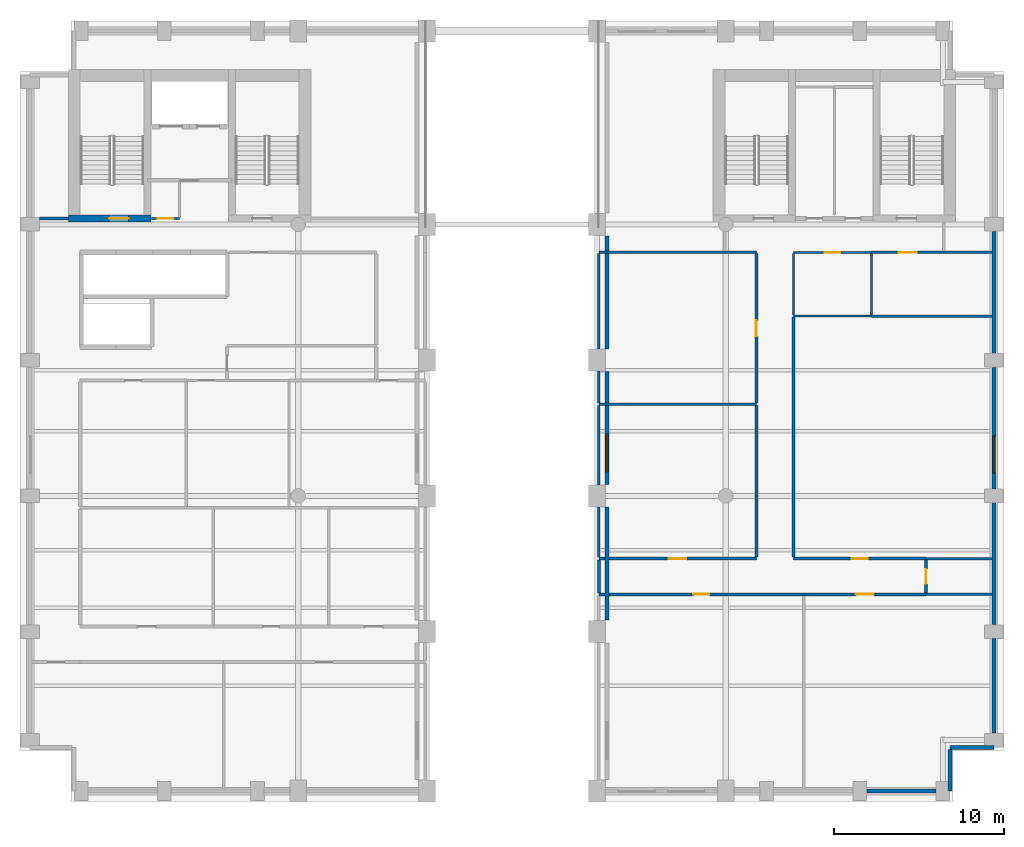
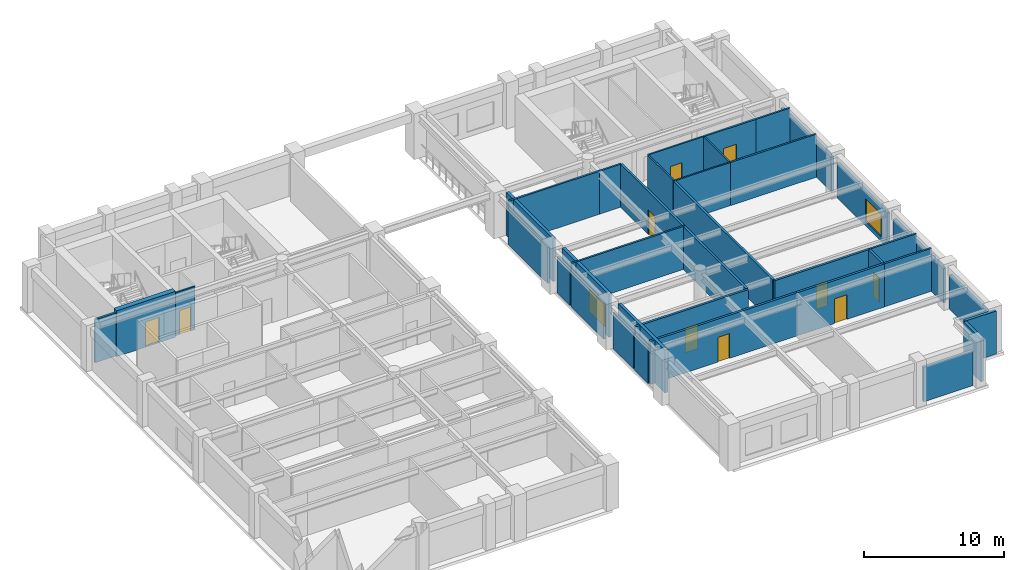
# One storey, part 4 of 8: 38 walls, 10 doors, 2 windows, 12 openings.
"""IFC4 building model written with IfcOpenShell, lengths in metres."""

from ifc_helpers import new_model, si_unit, direction, frame, frame_2d, origin, place, context, subcontext, project, spatial, rectangle, extrude, material, layer, layer_set, type_object, element, fill, save


model = new_model("IFC4")

# Units and contexts
model_context = context("Model", 3, precision=1e-05, world=origin(), true_north=direction((0.0, 1.0)))
body_context = subcontext(model_context, "Body", "Model", "MODEL_VIEW")
ifc_project = project(units=[si_unit("LENGTHUNIT", "METRE"), si_unit("AREAUNIT", "SQUARE_METRE"), si_unit("VOLUMEUNIT", "CUBIC_METRE"), si_unit("PLANEANGLEUNIT", "RADIAN"), si_unit("MASSUNIT", "GRAM", prefix="KILO")], contexts=[model_context])

# Site, building, storey
site_placement = place(None, origin())
site = spatial("IfcSite", under=ifc_project, at=site_placement, CompositionType="ELEMENT")
building_placement = place(site_placement, origin())
building = spatial("IfcBuilding", under=site, at=building_placement, Name="Sulina Concourse Tower", CompositionType="ELEMENT")
storey_placement = place(building_placement, frame((0.0, 0.0, 194.60009765625)))
storey = spatial("IfcBuildingStorey", under=building, at=storey_placement, Name="L47", CompositionType="ELEMENT", Elevation=194.60009765625)

# Walls
ifc_material_1 = material(Name="Precast concrete C50/60", Category="concrete")
ifc_layer_1 = layer(ifc_material_1, 0.239990234375)
ifc_layer_set_1 = layer_set([ifc_layer_1], Name="Precast concrete C50/60")
wall_type_1 = type_object("IfcWallType", Name="Crown Precast Masonry-Frame Facade Wall 240mm", PredefinedType="SOLIDWALL", material=ifc_layer_set_1)
wall_1_placement = place(storey_placement, frame((53.97998046875, 0.60009765625, 0.0), z_axis=(0.0, 0.0, 1.0), x_axis=(-1.0, 0.0, 0.0)))
element("IfcWall", 1, at=wall_1_placement, inside=storey, type_object=wall_type_1, Name="L47 exterior precast wall S9", PredefinedType="SOLIDWALL", context=body_context, shape_type="SweptSolid", body=[
    extrude(rectangle(XDim=4.06005859375, YDim=0.239990234375, at=frame_2d((2.030029296875, 0.0))), origin(), (0.0, 0.0, 1.0), 3.0),
])
wall_2_placement = place(storey_placement, frame((57.39990234375, 9.580078125, 0.0), z_axis=(0.0, 0.0, 1.0), x_axis=(0.0, -1.0, 0.0)))
element("IfcWall", 2, at=wall_2_placement, inside=storey, type_object=wall_type_1, Name="L47 exterior precast wall E1", PredefinedType="SOLIDWALL", context=body_context, shape_type="SweptSolid", body=[
    extrude(rectangle(XDim=5.56005859375, YDim=0.239990234375, at=frame_2d((2.780029296875, 0.0))), origin(), (0.0, 0.0, 1.0), 3.0),
])
wall_3_placement = place(storey_placement, frame((57.39990234375, 17.580078125, 0.0), z_axis=(0.0, 0.0, 1.0), x_axis=(0.0, -1.0, 0.0)))
element("IfcWall", 3, at=wall_3_placement, inside=storey, type_object=wall_type_1, Name="L47 exterior precast wall E2", PredefinedType="SOLIDWALL", context=body_context, shape_type="SweptSolid", body=[
    extrude(rectangle(XDim=7.16015625, YDim=0.239990234375, at=frame_2d((3.580078125, 0.0))), origin(), (0.0, 0.0, 1.0), 3.0),
])

# Wall, opening, window
wall_4_placement = place(storey_placement, frame((57.39990234375, 25.580078125, 0.0), z_axis=(0.0, 0.0, 1.0), x_axis=(0.0, -1.0, 0.0)))
wall_4 = element("IfcWall", 4, at=wall_4_placement, inside=storey, type_object=wall_type_1, Name="L47 exterior precast wall E3", PredefinedType="SOLIDWALL", context=body_context, shape_type="SweptSolid", body=[
    extrude(rectangle(XDim=7.16015625, YDim=0.239990234375, at=frame_2d((3.580078125, 0.0))), origin(), (0.0, 0.0, 1.0), 3.0),
])
opening_1_placement = place(wall_4_placement, frame((4.0400390625, 0.0, 0.419921875)))
opening_1 = element("IfcOpeningElement", 5, at=opening_1_placement, cuts=wall_4, Name="Opening WN-76", PredefinedType="OPENING", context=body_context, shape_type="SweptSolid", body=[
    extrude(rectangle(XDim=2.199951171875, YDim=1.949951171875, at=frame_2d((1.10009765625, 0.97509765625))), frame((0.0, 0.1298828125, 0.0), z_axis=(0.0, -1.0, 0.0), x_axis=(1.0, 0.0, 0.0)), (0.0, 0.0, 1.0), 0.260009765625),
])
ifc_material_2 = material(Name="Low-E solar double glazing in bronze aluminium", Category="aluminium")
window_type = type_object("IfcWindowType", Name="Recessed Spandrel Window 2200x1950", PartitioningType="DOUBLE_PANEL_VERTICAL", PredefinedType="WINDOW", material=ifc_material_2)
window_1_placement = place(opening_1_placement, origin())
window_1 = element("IfcWindow", 6, at=window_1_placement, inside=storey, type_object=window_type, Name="L47 punched window E3-1", OverallHeight=1.949951171875, OverallWidth=2.199951171875, PartitioningType="SINGLE_PANEL", PredefinedType="WINDOW", context=body_context, shape_type="SweptSolid", body=[
    extrude(rectangle(XDim=2.199951171875, YDim=1.949951171875, at=frame_2d((1.10009765625, 0.97509765625))), frame((0.0, 0.030029296875, 0.0), z_axis=(0.0, -1.0, 0.0), x_axis=(1.0, 0.0, 0.0)), (0.0, 0.0, 1.0), 0.06005859375),
])
fill(opening_1, window_1)

# Walls
wall_5_placement = place(storey_placement, frame((57.39990234375, 33.580078125, 0.0), z_axis=(0.0, 0.0, 1.0), x_axis=(0.0, -1.0, 0.0)))
element("IfcWall", 7, at=wall_5_placement, inside=storey, type_object=wall_type_1, Name="L47 exterior precast wall E4", PredefinedType="SOLIDWALL", context=body_context, shape_type="SweptSolid", body=[
    extrude(rectangle(XDim=7.16015625, YDim=0.239990234375, at=frame_2d((3.580078125, 0.0))), origin(), (0.0, 0.0, 1.0), 3.0),
])
wall_6_placement = place(storey_placement, frame((57.39990234375, 3.179931640625, 0.0), z_axis=(0.0, 0.0, 1.0), x_axis=(-1.0, 0.0, 0.0)))
element("IfcWall", 8, at=wall_6_placement, inside=storey, type_object=wall_type_1, Name="L47 exterior precast wall CSE1", PredefinedType="SOLIDWALL", context=body_context, shape_type="SweptSolid", body=[
    extrude(rectangle(XDim=2.579833984375, YDim=0.239990234375, at=frame_2d((1.2900390625, 0.0))), origin(), (0.0, 0.0, 1.0), 3.75),
])
wall_7_placement = place(storey_placement, frame((54.820068359375, 3.054931640625, 0.0), z_axis=(0.0, 0.0, 1.0), x_axis=(0.0, -1.0, 0.0)))
element("IfcWall", 9, at=wall_7_placement, inside=storey, type_object=wall_type_1, Name="L47 exterior precast wall CSE2", PredefinedType="SOLIDWALL", context=body_context, shape_type="SweptSolid", body=[
    extrude(rectangle(XDim=2.454833984375, YDim=0.239990234375, at=frame_2d((1.2275390625, 0.0))), origin(), (0.0, 0.0, 1.0), 3.75),
])
wall_8_placement = place(storey_placement, frame((34.60009765625, 10.669921875, 0.0), z_axis=(0.0, 0.0, 1.0), x_axis=(0.0, 1.0, 0.0)))
element("IfcWall", 10, at=wall_8_placement, inside=storey, type_object=wall_type_1, Name="L47 exterior precast wall PE2", PredefinedType="SOLIDWALL", context=body_context, shape_type="SweptSolid", body=[
    extrude(rectangle(XDim=6.66015625, YDim=0.239990234375, at=frame_2d((3.330078125, 0.0))), origin(), (0.0, 0.0, 1.0), 3.75),
])

# Wall, opening, window
wall_9_placement = place(storey_placement, frame((34.60009765625, 18.669921875, 0.0), z_axis=(0.0, 0.0, 1.0), x_axis=(0.0, 1.0, 0.0)))
wall_9 = element("IfcWall", 11, at=wall_9_placement, inside=storey, type_object=wall_type_1, Name="L47 exterior precast wall PE3", PredefinedType="SOLIDWALL", context=body_context, shape_type="SweptSolid", body=[
    extrude(rectangle(XDim=6.66015625, YDim=0.239990234375, at=frame_2d((3.330078125, 0.0))), origin(), (0.0, 0.0, 1.0), 3.75),
])
opening_2_placement = place(wall_9_placement, frame((0.75341796875, 0.0, 0.419921875)))
opening_2 = element("IfcOpeningElement", 12, at=opening_2_placement, cuts=wall_9, Name="Opening WN-76", PredefinedType="OPENING", context=body_context, shape_type="SweptSolid", body=[
    extrude(rectangle(XDim=2.199951171875, YDim=1.949951171875, at=frame_2d((1.10009765625, 0.97509765625))), frame((0.0, 0.1298828125, 0.0), z_axis=(0.0, -1.0, 0.0), x_axis=(1.0, 0.0, 0.0)), (0.0, 0.0, 1.0), 0.260009765625),
])
window_2_placement = place(opening_2_placement, origin())
window_2 = element("IfcWindow", 13, at=window_2_placement, inside=storey, type_object=window_type, Name="L47 punched window PE3-1", OverallHeight=1.949951171875, OverallWidth=2.199951171875, PartitioningType="SINGLE_PANEL", PredefinedType="WINDOW", context=body_context, shape_type="SweptSolid", body=[
    extrude(rectangle(XDim=2.199951171875, YDim=1.949951171875, at=frame_2d((1.10009765625, 0.97509765625))), frame((0.0, 0.030029296875, 0.0), z_axis=(0.0, -1.0, 0.0), x_axis=(1.0, 0.0, 0.0)), (0.0, 0.0, 1.0), 0.06005859375),
])
fill(opening_2, window_2)

# Walls
wall_10_placement = place(storey_placement, frame((34.60009765625, 26.669921875, 0.0), z_axis=(0.0, 0.0, 1.0), x_axis=(0.0, 1.0, 0.0)))
element("IfcWall", 14, at=wall_10_placement, inside=storey, type_object=wall_type_1, Name="L47 exterior precast wall PE4", PredefinedType="SOLIDWALL", context=body_context, shape_type="SweptSolid", body=[
    extrude(rectangle(XDim=6.66015625, YDim=0.239990234375, at=frame_2d((3.330078125, 0.0))), origin(), (0.0, 0.0, 1.0), 3.75),
])
ifc_material_3 = material(Name="Gypsum board on steel stud", Category="steel")
ifc_layer_2 = layer(ifc_material_3, 0.14990234375)
ifc_layer_set_2 = layer_set([ifc_layer_2], Name="Gypsum board on steel stud")
wall_type_2 = type_object("IfcWallType", Name="Inter-Tenancy Acoustic Partition 150mm", PredefinedType="PARTITIONING", material=ifc_layer_set_2)
for number, where, z_axis, x_axis, name in (
    (15, (53.39990234375, 12.199951171875, 0.0), (0.0, 0.0, 1.0), (1.0, 0.0, 0.0), "L47 interior partition 009"),
    (16, (53.39990234375, 14.300048828125, 0.0), (0.0, 0.0, 1.0), (1.0, 0.0, 0.0), "L47 interior partition 012"),
):
    element("IfcWall", number, at=place(storey_placement, frame(where, z_axis=z_axis, x_axis=x_axis)), inside=storey, type_object=wall_type_2, Name=name, PredefinedType="PARTITIONING", context=body_context, shape_type="SweptSolid", body=[
        extrude(rectangle(XDim=3.880126953125, YDim=0.14990234375, at=frame_2d((1.93994140625, 0.0))), origin(), (0.0, 0.0, 1.0), 3.75),
    ])
wall_11_placement = place(storey_placement, frame((34.1201171875, 23.39990234375, 0.0), z_axis=(0.0, 0.0, 1.0), x_axis=(1.0, 0.0, 0.0)))
element("IfcWall", 17, at=wall_11_placement, inside=storey, type_object=wall_type_2, Name="L47 interior partition 018", PredefinedType="PARTITIONING", context=body_context, shape_type="SweptSolid", body=[
    extrude(rectangle(XDim=9.27978515625, YDim=0.14990234375, at=frame_2d((4.639892578125, 0.0))), origin(), (0.0, 0.0, 1.0), 3.75),
])
wall_12_placement = place(storey_placement, frame((50.199951171875, 28.60009765625, 0.0), z_axis=(0.0, 0.0, 1.0), x_axis=(1.0, 0.0, 0.0)))
element("IfcWall", 18, at=wall_12_placement, inside=storey, type_object=wall_type_2, Name="L47 interior partition 026", PredefinedType="PARTITIONING", context=body_context, shape_type="SweptSolid", body=[
    extrude(rectangle(XDim=7.080078125, YDim=0.14990234375, at=frame_2d((3.5400390625, 0.0))), origin(), (0.0, 0.0, 1.0), 3.75),
])
wall_13_placement = place(storey_placement, frame((34.1201171875, 32.35009765625, 0.0), z_axis=(0.0, 0.0, 1.0), x_axis=(1.0, 0.0, 0.0)))
element("IfcWall", 19, at=wall_13_placement, inside=storey, type_object=wall_type_2, Name="L47 interior partition 029", PredefinedType="PARTITIONING", context=body_context, shape_type="SweptSolid", body=[
    extrude(rectangle(XDim=7.429931640625, YDim=0.14990234375, at=frame_2d((3.71484375, 0.0))), origin(), (0.0, 0.0, 1.0), 3.75),
])
wall_14_placement = place(storey_placement, frame((41.550048828125, 32.35009765625, 0.0), z_axis=(0.0, 0.0, 1.0), x_axis=(1.0, 0.0, 0.0)))
element("IfcWall", 20, at=wall_14_placement, inside=storey, type_object=wall_type_2, Name="L47 interior partition 030", PredefinedType="PARTITIONING", context=body_context, shape_type="SweptSolid", body=[
    extrude(rectangle(XDim=1.849853515625, YDim=0.14990234375, at=frame_2d((0.9248046875, 0.0))), origin(), (0.0, 0.0, 1.0), 3.75),
])

# Wall, opening, door
wall_15_placement = place(storey_placement, frame((50.199951171875, 32.35009765625, 0.0), z_axis=(0.0, 0.0, 1.0), x_axis=(1.0, 0.0, 0.0)))
wall_15 = element("IfcWall", 21, at=wall_15_placement, inside=storey, type_object=wall_type_2, Name="L47 interior partition 032", PredefinedType="PARTITIONING", context=body_context, shape_type="SweptSolid", body=[
    extrude(rectangle(XDim=4.25, YDim=0.14990234375, at=frame_2d((2.125, 0.0))), origin(), (0.0, 0.0, 1.0), 3.75),
])
opening_3_placement = place(wall_15_placement, frame((1.60009765625, 0.0, 0.0)))
opening_3 = element("IfcOpeningElement", 22, at=opening_3_placement, cuts=wall_15, Name="Opening DR-37", PredefinedType="OPENING", context=body_context, shape_type="SweptSolid", body=[
    extrude(rectangle(XDim=1.050048828125, YDim=2.14990234375, at=frame_2d((0.52490234375, 1.074951171875))), frame((0.0, 0.0849609375, 0.0), z_axis=(0.0, -1.0, 0.0), x_axis=(1.0, 0.0, 0.0)), (0.0, 0.0, 1.0), 0.169921875),
])
ifc_material_4 = material(Name="Oak-veneered fire door leaf")
ifc_layer_3 = layer(ifc_material_4, 0.050048828125)
ifc_layer_set_3 = layer_set([ifc_layer_3], Name="Oak-veneered fire door leaf")
door_type_1 = type_object("IfcDoorType", Name="Tenant Suite Entrance Fire Door 1050x2150", OperationType="NOTDEFINED", PredefinedType="DOOR", material=ifc_layer_set_3)
door_1_placement = place(opening_3_placement, origin())
door_1 = element("IfcDoor", 23, at=door_1_placement, inside=storey, type_object=door_type_1, Name="L47 interior door L47-PNT-EU2", OperationType="SINGLE_SWING_LEFT", OverallHeight=2.14990234375, OverallWidth=1.050048828125, PredefinedType="DOOR", context=body_context, shape_type="SweptSolid", body=[
    extrude(rectangle(XDim=1.050048828125, YDim=2.14990234375, at=frame_2d((0.52490234375, 1.074951171875))), frame((0.0, 0.02490234375, 0.0), z_axis=(0.0, -1.0, 0.0), x_axis=(1.0, 0.0, 0.0)), (0.0, 0.0, 1.0), 0.050048828125),
])
fill(opening_3, door_1)

# Walls
wall_16_placement = place(storey_placement, frame((54.449951171875, 32.35009765625, 0.0), z_axis=(0.0, 0.0, 1.0), x_axis=(1.0, 0.0, 0.0)))
element("IfcWall", 24, at=wall_16_placement, inside=storey, type_object=wall_type_2, Name="L47 interior partition 033", PredefinedType="PARTITIONING", context=body_context, shape_type="SweptSolid", body=[
    extrude(rectangle(XDim=2.830078125, YDim=0.14990234375, at=frame_2d((1.4150390625, 0.0))), origin(), (0.0, 0.0, 1.0), 3.75),
])
wall_17_placement = place(storey_placement, frame((34.1201171875, 14.389892578125, 0.0), z_axis=(0.0, 0.0, 1.0), x_axis=(0.0, 1.0, 0.0)))
element("IfcWall", 25, at=wall_17_placement, inside=storey, type_object=wall_type_2, Name="L47 interior partition 059", PredefinedType="PARTITIONING", context=body_context, shape_type="SweptSolid", body=[
    extrude(rectangle(XDim=2.960205078125, YDim=0.14990234375, at=frame_2d((1.47998046875, 0.0))), origin(), (0.0, 0.0, 1.0), 3.14501953125),
])
wall_18_placement = place(storey_placement, frame((34.1201171875, 18.64990234375, 0.0), z_axis=(0.0, 0.0, 1.0), x_axis=(0.0, 1.0, 0.0)))
element("IfcWall", 26, at=wall_18_placement, inside=storey, type_object=wall_type_2, Name="L47 interior partition 060", PredefinedType="PARTITIONING", context=body_context, shape_type="SweptSolid", body=[
    extrude(rectangle(XDim=4.675048828125, YDim=0.14990234375, at=frame_2d((2.33740234375, 0.0))), origin(), (0.0, 0.0, 1.0), 3.14501953125),
])
wall_19_placement = place(storey_placement, frame((34.1201171875, 23.47509765625, 0.0), z_axis=(0.0, 0.0, 1.0), x_axis=(0.0, 1.0, 0.0)))
element("IfcWall", 27, at=wall_19_placement, inside=storey, type_object=wall_type_2, Name="L47 interior partition 061", PredefinedType="PARTITIONING", context=body_context, shape_type="SweptSolid", body=[
    extrude(rectangle(XDim=1.875, YDim=0.14990234375, at=frame_2d((0.9375, 0.0))), origin(), (0.0, 0.0, 1.0), 3.14501953125),
])
wall_20_placement = place(storey_placement, frame((34.1201171875, 26.64990234375, 0.0), z_axis=(0.0, 0.0, 1.0), x_axis=(0.0, 1.0, 0.0)))
element("IfcWall", 28, at=wall_20_placement, inside=storey, type_object=wall_type_2, Name="L47 interior partition 062", PredefinedType="PARTITIONING", context=body_context, shape_type="SweptSolid", body=[
    extrude(rectangle(XDim=5.625, YDim=0.14990234375, at=frame_2d((2.8125, 0.0))), origin(), (0.0, 0.0, 1.0), 3.14501953125),
])

# Wall, opening, door
ifc_material_5 = material(Name="Gypsum board on steel stud", Category="steel")
ifc_layer_4 = layer(ifc_material_5, 0.179931640625)
ifc_layer_set_4 = layer_set([ifc_layer_4], Name="Gypsum board on steel stud")
wall_type_3 = type_object("IfcWallType", Name="Protected Corridor & Riser Partition 180mm", PredefinedType="PARTITIONING", material=ifc_layer_set_4)
wall_21_placement = place(storey_placement, frame((34.1201171875, 12.199951171875, 0.0), z_axis=(0.0, 0.0, 1.0), x_axis=(1.0, 0.0, 0.0)))
wall_21 = element("IfcWall", 29, at=wall_21_placement, inside=storey, type_object=wall_type_3, Name="L47 interior partition 007", PredefinedType="PARTITIONING", context=body_context, shape_type="SweptSolid", body=[
    extrude(rectangle(XDim=12.079833984375, YDim=0.179931640625, at=frame_2d((6.0400390625, 0.0))), origin(), (0.0, 0.0, 1.0), 3.75),
])
opening_4_placement = place(wall_21_placement, frame((5.56494140625, 0.0, 0.0)))
opening_4 = element("IfcOpeningElement", 30, at=opening_4_placement, cuts=wall_21, Name="Opening DR-19", PredefinedType="OPENING", context=body_context, shape_type="SweptSolid", body=[
    extrude(rectangle(XDim=0.949951171875, YDim=2.14990234375, at=frame_2d((0.47509765625, 1.074951171875))), frame((0.0, 0.099853515625, 0.0), z_axis=(0.0, -1.0, 0.0), x_axis=(1.0, 0.0, 0.0)), (0.0, 0.0, 1.0), 0.199951171875),
])
ifc_material_6 = material(Name="Oak-veneered acoustic timber leaf", Category="wood")
ifc_layer_5 = layer(ifc_material_6, 0.050048828125)
ifc_layer_set_5 = layer_set([ifc_layer_5], Name="Oak-veneered acoustic timber leaf")
door_type_2 = type_object("IfcDoorType", Name="Cellular Office & Meeting Door 950x2150", OperationType="NOTDEFINED", PredefinedType="DOOR", material=ifc_layer_set_5)
door_2_placement = place(opening_4_placement, origin())
door_2 = element("IfcDoor", 31, at=door_2_placement, inside=storey, type_object=door_type_2, Name="L47 interior door L47-OFF-EU1", OperationType="SINGLE_SWING_RIGHT", OverallHeight=2.14990234375, OverallWidth=0.949951171875, PredefinedType="DOOR", context=body_context, shape_type="SweptSolid", body=[
    extrude(rectangle(XDim=0.949951171875, YDim=2.14990234375, at=frame_2d((0.47509765625, 1.074951171875))), frame((0.0, 0.02490234375, 0.0), z_axis=(0.0, -1.0, 0.0), x_axis=(1.0, 0.0, 0.0)), (0.0, 0.0, 1.0), 0.050048828125),
])
fill(opening_4, door_2)

wall_22_placement = place(storey_placement, frame((46.199951171875, 12.199951171875, 0.0), z_axis=(0.0, 0.0, 1.0), x_axis=(1.0, 0.0, 0.0)))
wall_22 = element("IfcWall", 32, at=wall_22_placement, inside=storey, type_object=wall_type_3, Name="L47 interior partition 008", PredefinedType="PARTITIONING", context=body_context, shape_type="SweptSolid", body=[
    extrude(rectangle(XDim=7.199951171875, YDim=0.179931640625, at=frame_2d((3.60009765625, 0.0))), origin(), (0.0, 0.0, 1.0), 3.75),
])
opening_5_placement = place(wall_22_placement, frame((3.074951171875, 0.0, 0.0)))
opening_5 = element("IfcOpeningElement", 33, at=opening_5_placement, cuts=wall_22, Name="Opening DR-37", PredefinedType="OPENING", context=body_context, shape_type="SweptSolid", body=[
    extrude(rectangle(XDim=1.050048828125, YDim=2.14990234375, at=frame_2d((0.52490234375, 1.074951171875))), frame((0.0, 0.099853515625, 0.0), z_axis=(0.0, -1.0, 0.0), x_axis=(1.0, 0.0, 0.0)), (0.0, 0.0, 1.0), 0.199951171875),
])
door_3_placement = place(opening_5_placement, origin())
door_3 = element("IfcDoor", 34, at=door_3_placement, inside=storey, type_object=door_type_1, Name="L47 interior door L47-MTG-EU1", OperationType="SINGLE_SWING_LEFT", OverallHeight=2.14990234375, OverallWidth=1.050048828125, PredefinedType="DOOR", context=body_context, shape_type="SweptSolid", body=[
    extrude(rectangle(XDim=1.050048828125, YDim=2.14990234375, at=frame_2d((0.52490234375, 1.074951171875))), frame((0.0, 0.02490234375, 0.0), z_axis=(0.0, -1.0, 0.0), x_axis=(1.0, 0.0, 0.0)), (0.0, 0.0, 1.0), 0.050048828125),
])
fill(opening_5, door_3)

wall_23_placement = place(storey_placement, frame((34.1201171875, 14.300048828125, 0.0), z_axis=(0.0, 0.0, 1.0), x_axis=(1.0, 0.0, 0.0)))
wall_23 = element("IfcWall", 35, at=wall_23_placement, inside=storey, type_object=wall_type_3, Name="L47 interior partition 010", PredefinedType="PARTITIONING", context=body_context, shape_type="SweptSolid", body=[
    extrude(rectangle(XDim=9.27978515625, YDim=0.179931640625, at=frame_2d((4.639892578125, 0.0))), origin(), (0.0, 0.0, 1.0), 3.75),
])
opening_6_placement = place(wall_23_placement, frame((4.114990234375, 0.0, 0.0)))
opening_6 = element("IfcOpeningElement", 36, at=opening_6_placement, cuts=wall_23, Name="Opening DR-37", PredefinedType="OPENING", context=body_context, shape_type="SweptSolid", body=[
    extrude(rectangle(XDim=1.050048828125, YDim=2.14990234375, at=frame_2d((0.52490234375, 1.074951171875))), frame((0.0, 0.099853515625, 0.0), z_axis=(0.0, -1.0, 0.0), x_axis=(1.0, 0.0, 0.0)), (0.0, 0.0, 1.0), 0.199951171875),
])
door_4_placement = place(opening_6_placement, origin())
door_4 = element("IfcDoor", 37, at=door_4_placement, inside=storey, type_object=door_type_1, Name="L47 interior door L47-STD-EU1", OperationType="SINGLE_SWING_RIGHT", OverallHeight=2.14990234375, OverallWidth=1.050048828125, PredefinedType="DOOR", context=body_context, shape_type="SweptSolid", body=[
    extrude(rectangle(XDim=1.050048828125, YDim=2.14990234375, at=frame_2d((0.52490234375, 1.074951171875))), frame((0.0, 0.02490234375, 0.0), z_axis=(0.0, -1.0, 0.0), x_axis=(1.0, 0.0, 0.0)), (0.0, 0.0, 1.0), 0.050048828125),
])
fill(opening_6, door_4)

wall_24_placement = place(storey_placement, frame((45.60009765625, 14.300048828125, 0.0), z_axis=(0.0, 0.0, 1.0), x_axis=(1.0, 0.0, 0.0)))
wall_24 = element("IfcWall", 38, at=wall_24_placement, inside=storey, type_object=wall_type_3, Name="L47 interior partition 011", PredefinedType="PARTITIONING", context=body_context, shape_type="SweptSolid", body=[
    extrude(rectangle(XDim=7.7998046875, YDim=0.179931640625, at=frame_2d((3.89990234375, 0.0))), origin(), (0.0, 0.0, 1.0), 3.75),
])
opening_7_placement = place(wall_24_placement, frame((3.425048828125, 0.0, 0.0)))
opening_7 = element("IfcOpeningElement", 39, at=opening_7_placement, cuts=wall_24, Name="Opening DR-19", PredefinedType="OPENING", context=body_context, shape_type="SweptSolid", body=[
    extrude(rectangle(XDim=0.949951171875, YDim=2.14990234375, at=frame_2d((0.47509765625, 1.074951171875))), frame((0.0, 0.099853515625, 0.0), z_axis=(0.0, -1.0, 0.0), x_axis=(1.0, 0.0, 0.0)), (0.0, 0.0, 1.0), 0.199951171875),
])
door_5_placement = place(opening_7_placement, origin())
door_5 = element("IfcDoor", 40, at=door_5_placement, inside=storey, type_object=door_type_2, Name="L47 interior door L47-OFF-EU3", OperationType="SINGLE_SWING_LEFT", OverallHeight=2.14990234375, OverallWidth=0.949951171875, PredefinedType="DOOR", context=body_context, shape_type="SweptSolid", body=[
    extrude(rectangle(XDim=0.949951171875, YDim=2.14990234375, at=frame_2d((0.47509765625, 1.074951171875))), frame((0.0, 0.02490234375, 0.0), z_axis=(0.0, -1.0, 0.0), x_axis=(1.0, 0.0, 0.0)), (0.0, 0.0, 1.0), 0.050048828125),
])
fill(opening_7, door_5)

# Walls
wall_25_placement = place(storey_placement, frame((1.14990234375, 34.35009765625, 0.0), z_axis=(0.0, 0.0, 1.0), x_axis=(1.0, 0.0, 0.0)))
element("IfcWall", 41, at=wall_25_placement, inside=storey, type_object=wall_type_3, Name="L47 interior partition 034", PredefinedType="PARTITIONING", context=body_context, shape_type="SweptSolid", body=[
    extrude(rectangle(XDim=1.7001953125, YDim=0.179931640625, at=frame_2d((0.85009765625, 0.0))), origin(), (0.0, 0.0, 1.0), 3.75),
])
wall_26_placement = place(storey_placement, frame((34.1201171875, 12.2900390625, 0.0), z_axis=(0.0, 0.0, 1.0), x_axis=(0.0, 1.0, 0.0)))
element("IfcWall", 42, at=wall_26_placement, inside=storey, type_object=wall_type_3, Name="L47 interior partition 058", PredefinedType="PARTITIONING", context=body_context, shape_type="SweptSolid", body=[
    extrude(rectangle(XDim=1.919921875, YDim=0.179931640625, at=frame_2d((0.9599609375, 0.0))), origin(), (0.0, 0.0, 1.0), 3.14501953125),
])
wall_27_placement = place(storey_placement, frame((43.39990234375, 14.389892578125, 0.0), z_axis=(0.0, 0.0, 1.0), x_axis=(0.0, 1.0, 0.0)))
element("IfcWall", 43, at=wall_27_placement, inside=storey, type_object=wall_type_3, Name="L47 interior partition 064", PredefinedType="PARTITIONING", context=body_context, shape_type="SweptSolid", body=[
    extrude(rectangle(XDim=8.93505859375, YDim=0.179931640625, at=frame_2d((4.467529296875, 0.0))), origin(), (0.0, 0.0, 1.0), 3.75),
])

# Wall, opening, door
wall_28_placement = place(storey_placement, frame((43.39990234375, 23.47509765625, 0.0), z_axis=(0.0, 0.0, 1.0), x_axis=(0.0, 1.0, 0.0)))
wall_28 = element("IfcWall", 44, at=wall_28_placement, inside=storey, type_object=wall_type_3, Name="L47 interior partition 065", PredefinedType="PARTITIONING", context=body_context, shape_type="SweptSolid", body=[
    extrude(rectangle(XDim=8.7998046875, YDim=0.179931640625, at=frame_2d((4.39990234375, 0.0))), origin(), (0.0, 0.0, 1.0), 3.75),
])
opening_8_placement = place(wall_28_placement, frame((3.925048828125, 0.0, 0.0)))
opening_8 = element("IfcOpeningElement", 45, at=opening_8_placement, cuts=wall_28, Name="Opening DR-19", PredefinedType="OPENING", context=body_context, shape_type="SweptSolid", body=[
    extrude(rectangle(XDim=0.949951171875, YDim=2.14990234375, at=frame_2d((0.47509765625, 1.074951171875))), frame((0.0, 0.099853515625, 0.0), z_axis=(0.0, -1.0, 0.0), x_axis=(1.0, 0.0, 0.0)), (0.0, 0.0, 1.0), 0.199951171875),
])
door_6_placement = place(opening_8_placement, origin())
door_6 = element("IfcDoor", 46, at=door_6_placement, inside=storey, type_object=door_type_2, Name="L47 interior door L47-OFF-EU2", OperationType="SINGLE_SWING_RIGHT", OverallHeight=2.14990234375, OverallWidth=0.949951171875, PredefinedType="DOOR", context=body_context, shape_type="SweptSolid", body=[
    extrude(rectangle(XDim=0.949951171875, YDim=2.14990234375, at=frame_2d((0.47509765625, 1.074951171875))), frame((0.0, 0.02490234375, 0.0), z_axis=(0.0, -1.0, 0.0), x_axis=(1.0, 0.0, 0.0)), (0.0, 0.0, 1.0), 0.050048828125),
])
fill(opening_8, door_6)

# Wall
wall_29_placement = place(storey_placement, frame((45.60009765625, 14.389892578125, 0.0), z_axis=(0.0, 0.0, 1.0), x_axis=(0.0, 1.0, 0.0)))
element("IfcWall", 47, at=wall_29_placement, inside=storey, type_object=wall_type_3, Name="L47 interior partition 066", PredefinedType="PARTITIONING", context=body_context, shape_type="SweptSolid", body=[
    extrude(rectangle(XDim=14.147705078125, YDim=0.179931640625, at=frame_2d((7.07373046875, 0.0))), origin(), (0.0, 0.0, 1.0), 3.75),
])

# Wall, opening, door
wall_30_placement = place(storey_placement, frame((53.39990234375, 12.2900390625, 0.0), z_axis=(0.0, 0.0, 1.0), x_axis=(0.0, 1.0, 0.0)))
wall_30 = element("IfcWall", 48, at=wall_30_placement, inside=storey, type_object=wall_type_3, Name="L47 interior partition 071", PredefinedType="PARTITIONING", context=body_context, shape_type="SweptSolid", body=[
    extrude(rectangle(XDim=1.919921875, YDim=0.179931640625, at=frame_2d((0.9599609375, 0.0))), origin(), (0.0, 0.0, 1.0), 3.75),
])
opening_9_placement = place(wall_30_placement, frame((0.52001953125, 0.0, 0.0)))
opening_9 = element("IfcOpeningElement", 49, at=opening_9_placement, cuts=wall_30, Name="Opening DR-38", PredefinedType="OPENING", context=body_context, shape_type="SweptSolid", body=[
    extrude(rectangle(XDim=0.8798828125, YDim=2.10009765625, at=frame_2d((0.43994140625, 1.050048828125))), frame((0.0, 0.099853515625, 0.0), z_axis=(0.0, -1.0, 0.0), x_axis=(1.0, 0.0, 0.0)), (0.0, 0.0, 1.0), 0.199951171875),
])
ifc_material_7 = material(Name="Galvanised steel acoustic fire leaf", Category="steel")
ifc_layer_6 = layer(ifc_material_7, 0.050048828125)
ifc_layer_set_6 = layer_set([ifc_layer_6], Name="Galvanised steel acoustic fire leaf")
door_type_3 = type_object("IfcDoorType", Name="Service Riser Fire Door 880x2100", OperationType="NOTDEFINED", PredefinedType="DOOR", material=ifc_layer_set_6)
door_7_placement = place(opening_9_placement, origin())
door_7 = element("IfcDoor", 50, at=door_7_placement, inside=storey, type_object=door_type_3, Name="L47 interior door L47-STR-EU1", OperationType="SINGLE_SWING_LEFT", OverallHeight=2.10009765625, OverallWidth=0.8798828125, PredefinedType="DOOR", context=body_context, shape_type="SweptSolid", body=[
    extrude(rectangle(XDim=0.8798828125, YDim=2.10009765625, at=frame_2d((0.43994140625, 1.050048828125))), frame((0.0, 0.02490234375, 0.0), z_axis=(0.0, -1.0, 0.0), x_axis=(1.0, 0.0, 0.0)), (0.0, 0.0, 1.0), 0.050048828125),
])
fill(opening_9, door_7)

ifc_material_8 = material(Name="Concrete C60/75", Category="concrete")
ifc_layer_7 = layer(ifc_material_8, 0.39990234375)
ifc_layer_set_7 = layer_set([ifc_layer_7], Name="Concrete C60/75")
wall_type_4 = type_object("IfcWallType", Name="Protected Stair Core Shear Wall 400mm", PredefinedType="SHEAR", material=ifc_layer_set_7)
wall_31_placement = place(storey_placement, frame((2.85009765625, 34.35009765625, 0.0), z_axis=(0.0, 0.0, 1.0), x_axis=(1.0, 0.0, 0.0)))
wall_31 = element("IfcWall", 51, at=wall_31_placement, inside=storey, type_object=wall_type_4, Name="L47 west core shear wall CW-WS1", PredefinedType="SHEAR", context=body_context, shape_type="SweptSolid", body=[
    extrude(rectangle(XDim=4.85986328125, YDim=0.39990234375, at=frame_2d((2.429931640625, 0.0))), origin(), (0.0, 0.0, 1.0), 4.0),
])
opening_10_placement = place(wall_31_placement, frame((2.39990234375, 0.0, 0.0)))
opening_10 = element("IfcOpeningElement", 52, at=opening_10_placement, cuts=wall_31, Name="Opening DR-60", PredefinedType="OPENING", context=body_context, shape_type="SweptSolid", body=[
    extrude(rectangle(XDim=1.14990234375, YDim=2.199951171875, at=frame_2d((0.574951171875, 1.10009765625))), frame((0.0, 0.2099609375, 0.0), z_axis=(0.0, -1.0, 0.0), x_axis=(1.0, 0.0, 0.0)), (0.0, 0.0, 1.0), 0.419921875),
])
ifc_material_9 = material(Name="Galvanised steel acoustic fire leaf", Category="steel")
ifc_layer_8 = layer(ifc_material_9, 0.054931640625)
ifc_layer_set_8 = layer_set([ifc_layer_8], Name="Galvanised steel acoustic fire leaf")
door_type_4 = type_object("IfcDoorType", Name="Protected Exit Stair Fire Door 1150x2200", OperationType="NOTDEFINED", PredefinedType="DOOR", material=ifc_layer_set_8)
door_8_placement = place(opening_10_placement, origin())
door_8 = element("IfcDoor", 53, at=door_8_placement, inside=storey, type_object=door_type_4, Name="L47 stair ST-1 lobby fire door", OperationType="SINGLE_SWING_RIGHT", OverallHeight=2.199951171875, OverallWidth=1.14990234375, PredefinedType="DOOR", context=body_context, shape_type="SweptSolid", body=[
    extrude(rectangle(XDim=1.14990234375, YDim=2.199951171875, at=frame_2d((0.574951171875, 1.10009765625))), frame((0.0, 0.02490234375, 0.0), z_axis=(0.0, -1.0, 0.0), x_axis=(1.0, 0.0, 0.0)), (0.0, 0.0, 1.0), 0.050048828125),
])
fill(opening_10, door_8)

# Wall
ifc_material_10 = material(Name="Gypsum board on steel stud", Category="steel")
ifc_layer_9 = layer(ifc_material_10, 0.125)
ifc_layer_set_9 = layer_set([ifc_layer_9], Name="Gypsum board on steel stud")
wall_type_5 = type_object("IfcWallType", Name="Wet-Area Moisture-Resistant Partition 125mm", PredefinedType="PARTITIONING", material=ifc_layer_set_9)
wall_32_placement = place(storey_placement, frame((45.60009765625, 28.60009765625, 0.0), z_axis=(0.0, 0.0, 1.0), x_axis=(1.0, 0.0, 0.0)))
element("IfcWall", 54, at=wall_32_placement, inside=storey, type_object=wall_type_5, Name="L47 interior partition 025", PredefinedType="PARTITIONING", context=body_context, shape_type="SweptSolid", body=[
    extrude(rectangle(XDim=4.599853515625, YDim=0.125, at=frame_2d((2.2998046875, 0.0))), origin(), (0.0, 0.0, 1.0), 3.75),
])

# Wall, opening, door
wall_33_placement = place(storey_placement, frame((45.60009765625, 32.35009765625, 0.0), z_axis=(0.0, 0.0, 1.0), x_axis=(1.0, 0.0, 0.0)))
wall_33 = element("IfcWall", 55, at=wall_33_placement, inside=storey, type_object=wall_type_5, Name="L47 interior partition 031", PredefinedType="PARTITIONING", context=body_context, shape_type="SweptSolid", body=[
    extrude(rectangle(XDim=4.599853515625, YDim=0.125, at=frame_2d((2.2998046875, 0.0))), origin(), (0.0, 0.0, 1.0), 3.75),
])
opening_11_placement = place(wall_33_placement, frame((1.840087890625, 0.0, 0.0)))
opening_11 = element("IfcOpeningElement", 56, at=opening_11_placement, cuts=wall_33, Name="Opening DR-61", PredefinedType="OPENING", context=body_context, shape_type="SweptSolid", body=[
    extrude(rectangle(XDim=0.919921875, YDim=2.10009765625, at=frame_2d((0.4599609375, 1.050048828125))), frame((0.0, 0.072509765625, 0.0), z_axis=(0.0, -1.0, 0.0), x_axis=(1.0, 0.0, 0.0)), (0.0, 0.0, 1.0), 0.14501953125),
])
ifc_material_11 = material(Name="Oak-veneered fire door leaf")
ifc_layer_10 = layer(ifc_material_11, 0.050048828125)
ifc_layer_set_10 = layer_set([ifc_layer_10], Name="Oak-veneered fire door leaf")
door_type_5 = type_object("IfcDoorType", Name="Accessible WC Door 920x2100", OperationType="NOTDEFINED", PredefinedType="DOOR", material=ifc_layer_set_10)
door_9_placement = place(opening_11_placement, origin())
door_9 = element("IfcDoor", 57, at=door_9_placement, inside=storey, type_object=door_type_5, Name="L47 interior door L47-WC-EA", OperationType="SINGLE_SWING_RIGHT", OverallHeight=2.10009765625, OverallWidth=0.919921875, PredefinedType="DOOR", context=body_context, shape_type="SweptSolid", body=[
    extrude(rectangle(XDim=0.919921875, YDim=2.10009765625, at=frame_2d((0.4599609375, 1.050048828125))), frame((0.0, 0.02490234375, 0.0), z_axis=(0.0, -1.0, 0.0), x_axis=(1.0, 0.0, 0.0)), (0.0, 0.0, 1.0), 0.050048828125),
])
fill(opening_11, door_9)

wall_34_placement = place(storey_placement, frame((7.75, 34.35009765625, 0.0), z_axis=(0.0, 0.0, 1.0), x_axis=(1.0, 0.0, 0.0)))
wall_34 = element("IfcWall", 58, at=wall_34_placement, inside=storey, type_object=wall_type_5, Name="L47 interior partition 035", PredefinedType="PARTITIONING", context=body_context, shape_type="SweptSolid", body=[
    extrude(rectangle(XDim=1.64990234375, YDim=0.125, at=frame_2d((0.824951171875, 0.0))), origin(), (0.0, 0.0, 1.0), 3.75),
])
opening_12_placement = place(wall_34_placement, frame((0.364990234375, 0.0, 0.0)))
opening_12 = element("IfcOpeningElement", 59, at=opening_12_placement, cuts=wall_34, Name="Opening DR-61", PredefinedType="OPENING", context=body_context, shape_type="SweptSolid", body=[
    extrude(rectangle(XDim=0.919921875, YDim=2.10009765625, at=frame_2d((0.4599609375, 1.050048828125))), frame((0.0, 0.072509765625, 0.0), z_axis=(0.0, -1.0, 0.0), x_axis=(1.0, 0.0, 0.0)), (0.0, 0.0, 1.0), 0.14501953125),
])
door_10_placement = place(opening_12_placement, origin())
door_10 = element("IfcDoor", 60, at=door_10_placement, inside=storey, type_object=door_type_5, Name="L47 interior door L47-WC-ACC", OperationType="SINGLE_SWING_RIGHT", OverallHeight=2.10009765625, OverallWidth=0.919921875, PredefinedType="DOOR", context=body_context, shape_type="SweptSolid", body=[
    extrude(rectangle(XDim=0.919921875, YDim=2.10009765625, at=frame_2d((0.4599609375, 1.050048828125))), frame((0.0, 0.02490234375, 0.0), z_axis=(0.0, -1.0, 0.0), x_axis=(1.0, 0.0, 0.0)), (0.0, 0.0, 1.0), 0.050048828125),
])
fill(opening_12, door_10)

# Walls
wall_35_placement = place(storey_placement, frame((45.60009765625, 28.66259765625, 0.0), z_axis=(0.0, 0.0, 1.0), x_axis=(0.0, 1.0, 0.0)))
element("IfcWall", 61, at=wall_35_placement, inside=storey, type_object=wall_type_5, Name="L47 interior partition 067", PredefinedType="PARTITIONING", context=body_context, shape_type="SweptSolid", body=[
    extrude(rectangle(XDim=3.625, YDim=0.125, at=frame_2d((1.8125, 0.0))), origin(), (0.0, 0.0, 1.0), 3.75),
])
wall_36_placement = place(storey_placement, frame((50.199951171875, 28.675048828125, 0.0), z_axis=(0.0, 0.0, 1.0), x_axis=(0.0, 1.0, 0.0)))
element("IfcWall", 62, at=wall_36_placement, inside=storey, type_object=wall_type_5, Name="L47 interior partition 070", PredefinedType="PARTITIONING", context=body_context, shape_type="SweptSolid", body=[
    extrude(rectangle(XDim=3.599853515625, YDim=0.125, at=frame_2d((1.7998046875, 0.0))), origin(), (0.0, 0.0, 1.0), 3.75),
])

save(model, "model.ifc")
